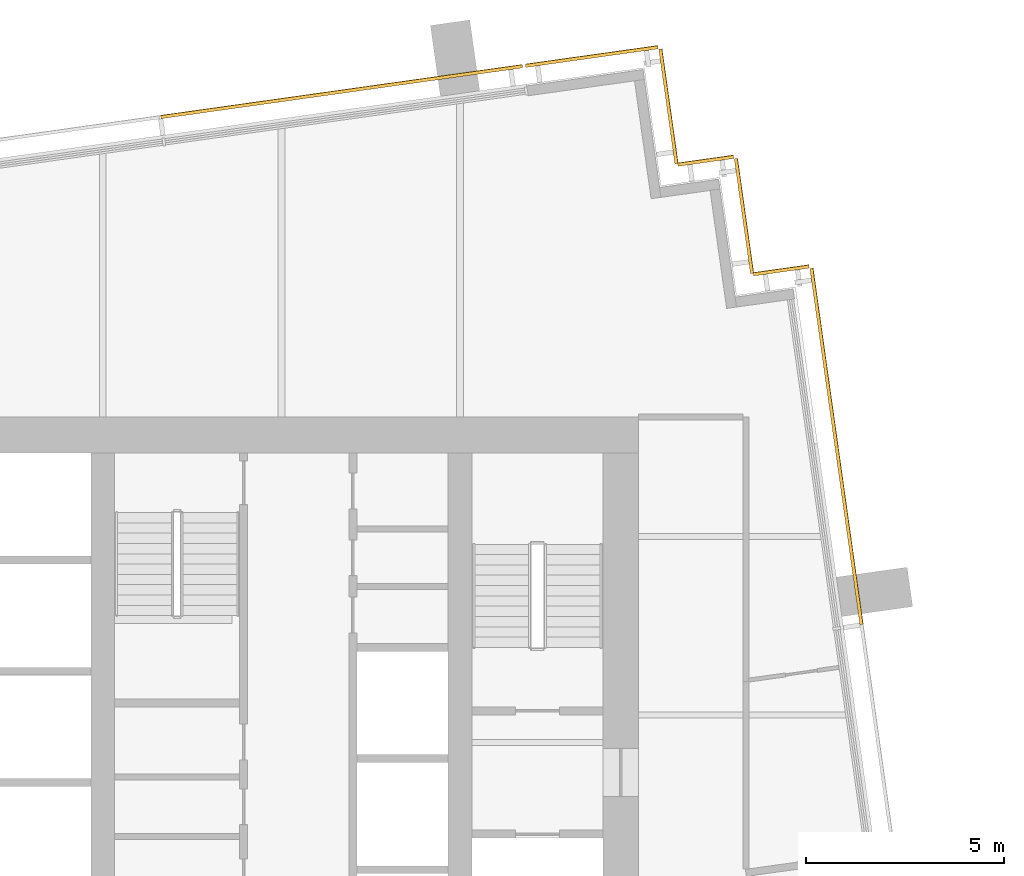
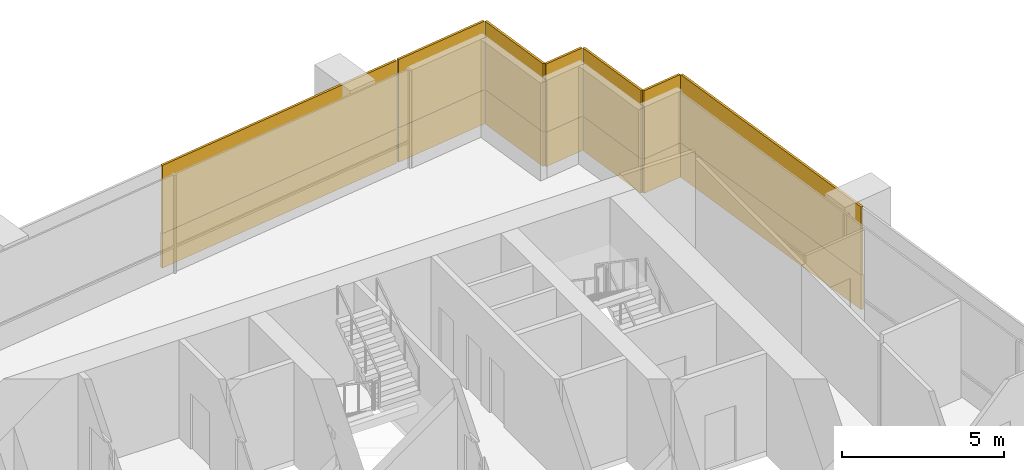
# One storey, part 15 of 15: 14 coverings.
"""IFC4 building model written with IfcOpenShell, lengths in metres."""

from ifc_helpers import new_model, si_unit, direction, frame, origin, origin_2d, place, context, subcontext, project, spatial, rectangle, extrude, material, layer, layer_set, type_object, element, save


model = new_model("IFC4")

# Units and contexts
model_context = context("Model", 3, precision=1e-05, world=origin(), true_north=direction((0.0, 1.0)))
body_context = subcontext(model_context, "Body", "Model", "MODEL_VIEW")
ifc_project = project(units=[si_unit("LENGTHUNIT", "METRE"), si_unit("AREAUNIT", "SQUARE_METRE"), si_unit("VOLUMEUNIT", "CUBIC_METRE"), si_unit("PLANEANGLEUNIT", "RADIAN"), si_unit("MASSUNIT", "GRAM", prefix="KILO")], contexts=[model_context])

# Site, building, storey
site_placement = place(None, origin())
site = spatial("IfcSite", under=ifc_project, at=site_placement, CompositionType="ELEMENT")
building_placement = place(site_placement, origin())
building = spatial("IfcBuilding", under=site, at=building_placement, Name="Rattan Terrace Tower", CompositionType="ELEMENT")
storey_placement = place(building_placement, frame((0.0, 0.0, 274.60009765625)))
storey = spatial("IfcBuildingStorey", under=building, at=storey_placement, Name="L63", CompositionType="ELEMENT", Elevation=274.60009765625)

# Coverings
ifc_material_1 = material(Name="Solid terracotta", Category="masonry")
ifc_layer_1 = layer(ifc_material_1, 0.090087890625)
ifc_layer_set_1 = layer_set([ifc_layer_1], Name="Facade Terracotta Band Panel HZ")
covering_type_1 = type_object("IfcCoveringType", Name="Facade Terracotta Band Panel HZ", PredefinedType="CLADDING", material=ifc_layer_set_1)
covering_1_placement = place(storey_placement, frame((22.986328125, 6.764892578125, -0.18994140625), z_axis=(0.0, 0.0, 1.0), x_axis=(-0.139191775431, 0.990265444036, 0.0)))
element("IfcCovering", 1, at=covering_1_placement, inside=storey, type_object=covering_type_1, Name="OUTER SKIN panel L63-8A", PredefinedType="CLADDING", context=body_context, shape_type="SweptSolid", body=[
    extrude(rectangle(XDim=9.066162109375, YDim=0.090087890625, at=origin_2d()), origin(), (0.0, 0.0, 1.0), 1.300048828125),
])
covering_2_placement = place(storey_placement, frame((21.59033203125, 11.20166015625, -0.18994140625), z_axis=(0.0, 0.0, 1.0), x_axis=(-0.990240767803, -0.139367219175, 0.0)))
element("IfcCovering", 2, at=covering_2_placement, inside=storey, type_object=covering_type_1, Name="OUTER SKIN panel L63-9A", PredefinedType="CLADDING", context=body_context, shape_type="SweptSolid", body=[
    extrude(rectangle(XDim=1.419677734375, YDim=0.090087890625, at=origin_2d()), origin(), (0.0, 0.0, 1.0), 1.300048828125),
])
covering_3_placement = place(storey_placement, frame((20.65576171875, 12.56982421875, -0.18994140625), z_axis=(0.0, 0.0, 1.0), x_axis=(-0.139321220646, 0.990247240581, 0.0)))
element("IfcCovering", 3, at=covering_3_placement, inside=storey, type_object=covering_type_1, Name="OUTER SKIN panel L63-10A", PredefinedType="CLADDING", context=body_context, shape_type="SweptSolid", body=[
    extrude(rectangle(XDim=2.919921875, YDim=0.090087890625, at=origin_2d()), origin(), (0.0, 0.0, 1.0), 1.300048828125),
])
covering_4_placement = place(storey_placement, frame((19.687255859375, 13.9638671875, -0.18994140625), z_axis=(0.0, 0.0, 1.0), x_axis=(-0.990332587523, -0.138713251317, 0.0)))
element("IfcCovering", 4, at=covering_4_placement, inside=storey, type_object=covering_type_1, Name="OUTER SKIN panel L63-11A", PredefinedType="CLADDING", context=body_context, shape_type="SweptSolid", body=[
    extrude(rectangle(XDim=1.41943359375, YDim=0.090087890625, at=origin_2d()), origin(), (0.0, 0.0, 1.0), 1.300048828125),
])
covering_5_placement = place(storey_placement, frame((18.752685546875, 15.332275390625, -0.18994140625), z_axis=(0.0, 0.0, 1.0), x_axis=(-0.139367219175, 0.990240767803, 0.0)))
element("IfcCovering", 5, at=covering_5_placement, inside=storey, type_object=covering_type_1, Name="OUTER SKIN panel L63-12A", PredefinedType="CLADDING", context=body_context, shape_type="SweptSolid", body=[
    extrude(rectangle(XDim=2.91943359375, YDim=0.090087890625, at=origin_2d()), origin(), (0.0, 0.0, 1.0), 1.300048828125),
])
covering_6_placement = place(storey_placement, frame((16.819091796875, 16.59033203125, -0.18994140625), z_axis=(0.0, 0.0, 1.0), x_axis=(-0.990286729519, -0.139040257974, 0.0)))
element("IfcCovering", 6, at=covering_6_placement, inside=storey, type_object=covering_type_1, Name="OUTER SKIN panel L63-13A", PredefinedType="CLADDING", context=body_context, shape_type="SweptSolid", body=[
    extrude(rectangle(XDim=3.368896484375, YDim=0.090087890625, at=origin_2d()), origin(), (0.0, 0.0, 1.0), 1.300048828125),
])
covering_7_placement = place(storey_placement, frame((10.516845703125, 15.70458984375, -0.18994140625), z_axis=(0.0, 0.0, 1.0), x_axis=(-0.990265894013, -0.139188574079, 0.0)))
element("IfcCovering", 7, at=covering_7_placement, inside=storey, type_object=covering_type_1, Name="OUTER SKIN panel L63-14A", PredefinedType="CLADDING", context=body_context, shape_type="SweptSolid", body=[
    extrude(rectangle(XDim=9.198974609375, YDim=0.090087890625, at=origin_2d()), origin(), (0.0, 0.0, 1.0), 1.300048828125),
])
ifc_material_2 = material(Name="Perforated terracotta", Category="masonry")
ifc_layer_2 = layer(ifc_material_2, 0.080078125)
ifc_layer_set_2 = layer_set([ifc_layer_2], Name="Facade Terracotta Screen Panel HZ")
covering_type_2 = type_object("IfcCoveringType", Name="Facade Terracotta Screen Panel HZ", PredefinedType="CLADDING", material=ifc_layer_set_2)
covering_8_placement = place(storey_placement, frame((22.9814453125, 6.76416015625, 1.10986328125), z_axis=(0.0, 0.0, 1.0), x_axis=(-0.139191775431, 0.990265444036, 0.0)))
element("IfcCovering", 8, at=covering_8_placement, inside=storey, type_object=covering_type_2, Name="OUTER SKIN panel L63-8B", PredefinedType="CLADDING", context=body_context, shape_type="SweptSolid", body=[
    extrude(rectangle(XDim=9.066162109375, YDim=0.080078125, at=origin_2d()), origin(), (0.0, 0.0, 1.0), 2.580078125),
])
covering_9_placement = place(storey_placement, frame((21.591064453125, 11.19677734375, 1.10986328125), z_axis=(0.0, 0.0, 1.0), x_axis=(-0.990240767803, -0.139367219175, 0.0)))
element("IfcCovering", 9, at=covering_9_placement, inside=storey, type_object=covering_type_2, Name="OUTER SKIN panel L63-9B", PredefinedType="CLADDING", context=body_context, shape_type="SweptSolid", body=[
    extrude(rectangle(XDim=1.419677734375, YDim=0.080078125, at=origin_2d()), origin(), (0.0, 0.0, 1.0), 2.580078125),
])
covering_10_placement = place(storey_placement, frame((20.65087890625, 12.569091796875, 1.10986328125), z_axis=(0.0, 0.0, 1.0), x_axis=(-0.139321220646, 0.990247240581, 0.0)))
element("IfcCovering", 10, at=covering_10_placement, inside=storey, type_object=covering_type_2, Name="OUTER SKIN panel L63-10B", PredefinedType="CLADDING", context=body_context, shape_type="SweptSolid", body=[
    extrude(rectangle(XDim=2.919921875, YDim=0.080078125, at=origin_2d()), origin(), (0.0, 0.0, 1.0), 2.580078125),
])
covering_11_placement = place(storey_placement, frame((19.68798828125, 13.958984375, 1.10986328125), z_axis=(0.0, 0.0, 1.0), x_axis=(-0.990332587523, -0.138713251317, 0.0)))
element("IfcCovering", 11, at=covering_11_placement, inside=storey, type_object=covering_type_2, Name="OUTER SKIN panel L63-11B", PredefinedType="CLADDING", context=body_context, shape_type="SweptSolid", body=[
    extrude(rectangle(XDim=1.41943359375, YDim=0.080078125, at=origin_2d()), origin(), (0.0, 0.0, 1.0), 2.580078125),
])
covering_12_placement = place(storey_placement, frame((18.747802734375, 15.33154296875, 1.10986328125), z_axis=(0.0, 0.0, 1.0), x_axis=(-0.139367219175, 0.990240767803, 0.0)))
element("IfcCovering", 12, at=covering_12_placement, inside=storey, type_object=covering_type_2, Name="OUTER SKIN panel L63-12B", PredefinedType="CLADDING", context=body_context, shape_type="SweptSolid", body=[
    extrude(rectangle(XDim=2.91943359375, YDim=0.080078125, at=origin_2d()), origin(), (0.0, 0.0, 1.0), 2.580078125),
])
covering_13_placement = place(storey_placement, frame((16.81982421875, 16.585205078125, 1.10986328125), z_axis=(0.0, 0.0, 1.0), x_axis=(-0.990286729519, -0.139040257974, 0.0)))
element("IfcCovering", 13, at=covering_13_placement, inside=storey, type_object=covering_type_2, Name="OUTER SKIN panel L63-13B", PredefinedType="CLADDING", context=body_context, shape_type="SweptSolid", body=[
    extrude(rectangle(XDim=3.368896484375, YDim=0.080078125, at=origin_2d()), origin(), (0.0, 0.0, 1.0), 2.580078125),
])
covering_14_placement = place(storey_placement, frame((10.517578125, 15.69970703125, 1.10986328125), z_axis=(0.0, 0.0, 1.0), x_axis=(-0.990265894013, -0.139188574079, 0.0)))
element("IfcCovering", 14, at=covering_14_placement, inside=storey, type_object=covering_type_2, Name="OUTER SKIN panel L63-14B", PredefinedType="CLADDING", context=body_context, shape_type="SweptSolid", body=[
    extrude(rectangle(XDim=9.198974609375, YDim=0.080078125, at=origin_2d()), origin(), (0.0, 0.0, 1.0), 2.580078125),
])

save(model, "model.ifc")
